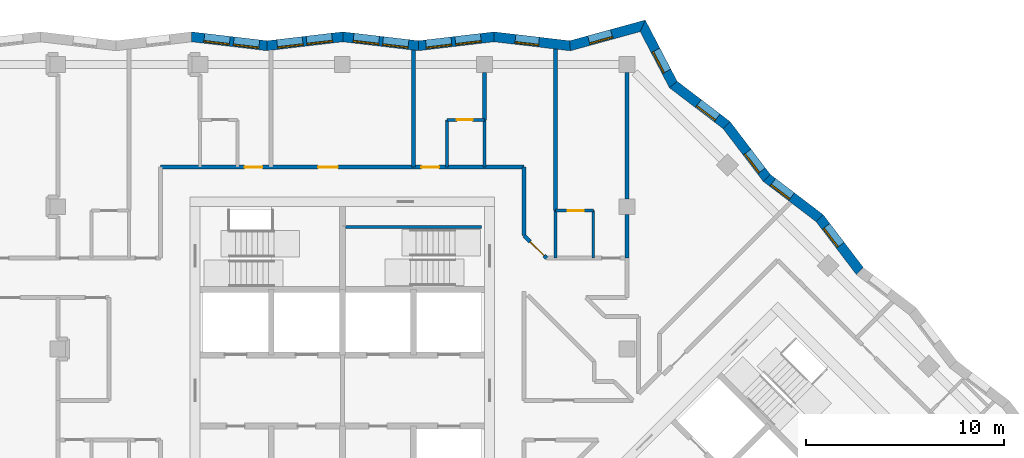
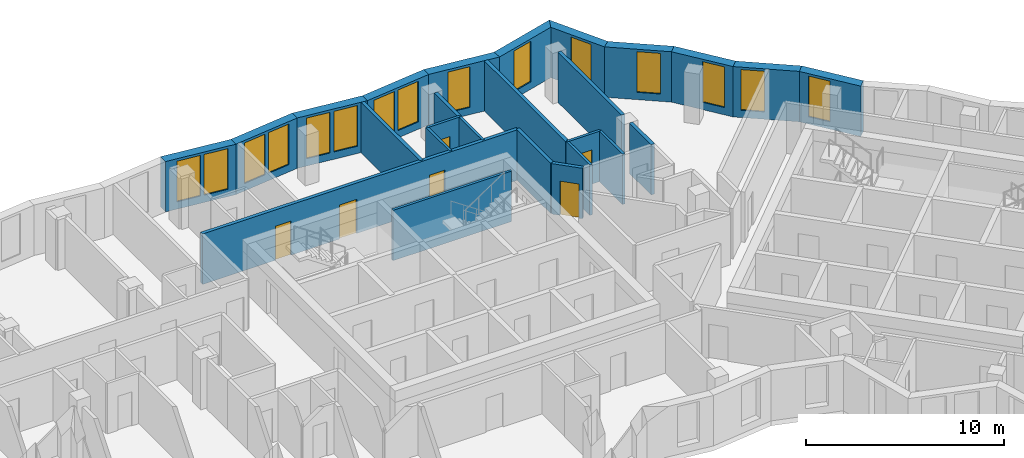
# One storey, part 7 of 12: 26 walls, 15 windows, 6 doors, 21 openings.
"""IFC4 building model written with IfcOpenShell, lengths in metres."""

from ifc_helpers import new_model, si_unit, direction, frame, frame_2d, origin, place, context, subcontext, project, spatial, polyline, rectangle, outline, extrude, material, layer, layer_set, type_object, element, fill, save


model = new_model("IFC4")

# Units and contexts
model_context = context("Model", 3, precision=1e-05, world=origin(), true_north=direction((0.0, 1.0)))
body_context = subcontext(model_context, "Body", "Model", "MODEL_VIEW")
ifc_project = project(units=[si_unit("LENGTHUNIT", "METRE"), si_unit("AREAUNIT", "SQUARE_METRE"), si_unit("VOLUMEUNIT", "CUBIC_METRE"), si_unit("PLANEANGLEUNIT", "RADIAN"), si_unit("MASSUNIT", "GRAM", prefix="KILO")], contexts=[model_context])

# Site, building, storey
site_placement = place(None, origin())
site = spatial("IfcSite", under=ifc_project, at=site_placement, CompositionType="ELEMENT")
building_placement = place(site_placement, origin())
building = spatial("IfcBuilding", under=site, at=building_placement, Name="Windrow Commons", CompositionType="ELEMENT")
storey_placement = place(building_placement, frame((0.0, 0.0, 206.6)))
storey = spatial("IfcBuildingStorey", under=building, at=storey_placement, Name="L56", CompositionType="ELEMENT", Elevation=206.6)

# Wall, opening, window
ifc_material_1 = material(Name="Brick masonry, red clay brick", Category="masonry")
ifc_layer_1 = layer(ifc_material_1, 0.5)
ifc_layer_set_1 = layer_set([ifc_layer_1], Name="Brick facade wall 500")
wall_type_1 = type_object("IfcWallType", Name="Brick facade wall 500", PredefinedType="SOLIDWALL", material=ifc_layer_set_1)
wall_1_placement = place(storey_placement, frame((90.9956, 61.5447, 0.0), z_axis=(0.0, 0.0, 1.0), x_axis=(-0.6059106346, 0.7955327164, 0.0)))
wall_1 = element("IfcWall", 1, at=wall_1_placement, inside=storey, type_object=wall_type_1, Name="Brick facade wall L56 12", PredefinedType="SOLIDWALL", context=body_context, shape_type="SweptSolid", body=[
    extrude(outline(polyline([(0.0338, -0.25), (3.3974, -0.25), (3.3298, 0.25), (-0.0338, 0.25), (0.0338, -0.25)])), origin(), (0.0, 0.0, 1.0), 3.1),
])
opening_1_placement = place(wall_1_placement, frame((1.6379, 0.0, 0.45)))
opening_1 = element("IfcOpeningElement", 2, at=opening_1_placement, cuts=wall_1, Name="Opening W7E", PredefinedType="OPENING", context=body_context, shape_type="SweptSolid", body=[
    extrude(rectangle(XDim=1.2, YDim=2.5, at=frame_2d((0.6, 1.25))), frame((0.0, 0.26, 0.0), z_axis=(0.0, -1.0, 0.0), x_axis=(1.0, 0.0, 0.0)), (0.0, 0.0, 1.0), 0.52),
])
ifc_material_2 = material(Name="Clear float glass in anodised aluminium frame", Category="aluminium")
window_type_1 = type_object("IfcWindowType", Name="Window W7 notch 1200x2500", PartitioningType="SINGLE_PANEL", PredefinedType="WINDOW", material=ifc_material_2)
window_1_placement = place(opening_1_placement, origin())
window_1 = element("IfcWindow", 3, at=window_1_placement, inside=storey, type_object=window_type_1, Name="Window L56 12.1", OverallHeight=2.5, OverallWidth=1.2, PartitioningType="SINGLE_PANEL", PredefinedType="WINDOW", context=body_context, shape_type="SweptSolid", body=[
    extrude(rectangle(XDim=1.2, YDim=2.5, at=frame_2d((0.6, 1.25))), frame((0.0, 0.18, 0.0), z_axis=(0.0, -1.0, 0.0), x_axis=(1.0, 0.0, 0.0)), (0.0, 0.0, 1.0), 0.06),
])
fill(opening_1, window_1)

wall_2_placement = place(storey_placement, frame((88.9576, 64.2205, 0.0), z_axis=(0.0, 0.0, 1.0), x_axis=(-0.7955293007, 0.6059151193, 0.0)))
wall_2 = element("IfcWall", 4, at=wall_2_placement, inside=storey, type_object=wall_type_1, Name="Brick facade wall L56 13", PredefinedType="SOLIDWALL", context=body_context, shape_type="SweptSolid", body=[
    extrude(outline(polyline([(-0.0338, -0.25), (3.3298, -0.25), (3.3974, 0.25), (0.0338, 0.25), (-0.0338, -0.25)])), origin(), (0.0, 0.0, 1.0), 3.1),
])
opening_2_placement = place(wall_2_placement, frame((1.7894, 0.0, 0.45)))
opening_2 = element("IfcOpeningElement", 5, at=opening_2_placement, cuts=wall_2, Name="Opening W7E", PredefinedType="OPENING", context=body_context, shape_type="SweptSolid", body=[
    extrude(rectangle(XDim=1.2, YDim=2.5, at=frame_2d((0.6, 1.25))), frame((0.0, 0.26, 0.0), z_axis=(0.0, -1.0, 0.0), x_axis=(1.0, 0.0, 0.0)), (0.0, 0.0, 1.0), 0.52),
])
window_2_placement = place(opening_2_placement, origin())
window_2 = element("IfcWindow", 6, at=window_2_placement, inside=storey, type_object=window_type_1, Name="Window L56 13.1", OverallHeight=2.5, OverallWidth=1.2, PartitioningType="SINGLE_PANEL", PredefinedType="WINDOW", context=body_context, shape_type="SweptSolid", body=[
    extrude(rectangle(XDim=1.2, YDim=2.5, at=frame_2d((0.6, 1.25))), frame((0.0, 0.18, 0.0), z_axis=(0.0, -1.0, 0.0), x_axis=(1.0, 0.0, 0.0)), (0.0, 0.0, 1.0), 0.06),
])
fill(opening_2, window_2)

wall_3_placement = place(storey_placement, frame((86.2817, 66.2586, 0.0), z_axis=(0.0, 0.0, 1.0), x_axis=(-0.6059106346, 0.7955327164, 0.0)))
wall_3 = element("IfcWall", 7, at=wall_3_placement, inside=storey, type_object=wall_type_1, Name="Brick facade wall L56 14", PredefinedType="SOLIDWALL", context=body_context, shape_type="SweptSolid", body=[
    extrude(outline(polyline([(0.0338, -0.25), (3.3974, -0.25), (3.3298, 0.25), (-0.0338, 0.25), (0.0338, -0.25)])), origin(), (0.0, 0.0, 1.0), 3.1),
])
opening_3_placement = place(wall_3_placement, frame((0.4422, 0.0, 0.45)))
opening_3 = element("IfcOpeningElement", 8, at=opening_3_placement, cuts=wall_3, Name="Opening W7E", PredefinedType="OPENING", context=body_context, shape_type="SweptSolid", body=[
    extrude(rectangle(XDim=1.2, YDim=2.5, at=frame_2d((0.6, 1.25))), frame((0.0, 0.26, 0.0), z_axis=(0.0, -1.0, 0.0), x_axis=(1.0, 0.0, 0.0)), (0.0, 0.0, 1.0), 0.52),
])
window_3_placement = place(opening_3_placement, origin())
window_3 = element("IfcWindow", 9, at=window_3_placement, inside=storey, type_object=window_type_1, Name="Window L56 14.1", OverallHeight=2.5, OverallWidth=1.2, PartitioningType="SINGLE_PANEL", PredefinedType="WINDOW", context=body_context, shape_type="SweptSolid", body=[
    extrude(rectangle(XDim=1.2, YDim=2.5, at=frame_2d((0.6, 1.25))), frame((0.0, 0.18, 0.0), z_axis=(0.0, -1.0, 0.0), x_axis=(1.0, 0.0, 0.0)), (0.0, 0.0, 1.0), 0.06),
])
fill(opening_3, window_3)

wall_4_placement = place(storey_placement, frame((84.2437, 68.9344, 0.0), z_axis=(0.0, 0.0, 1.0), x_axis=(-0.7955191752, 0.6059284131, 0.0)))
wall_4 = element("IfcWall", 10, at=wall_4_placement, inside=storey, type_object=wall_type_1, Name="Brick facade wall L56 15", PredefinedType="SOLIDWALL", context=body_context, shape_type="SweptSolid", body=[
    extrude(outline(polyline([(-0.0338, -0.25), (3.3298, -0.25), (3.4416, 0.25), (0.0338, 0.25), (-0.0338, -0.25)])), origin(), (0.0, 0.0, 1.0), 3.1),
])
opening_4_placement = place(wall_4_placement, frame((0.5937, 0.0, 0.45)))
opening_4 = element("IfcOpeningElement", 11, at=opening_4_placement, cuts=wall_4, Name="Opening W7E", PredefinedType="OPENING", context=body_context, shape_type="SweptSolid", body=[
    extrude(rectangle(XDim=1.2, YDim=2.5, at=frame_2d((0.6, 1.25))), frame((0.0, 0.26, 0.0), z_axis=(0.0, -1.0, 0.0), x_axis=(1.0, 0.0, 0.0)), (0.0, 0.0, 1.0), 0.52),
])
window_4_placement = place(opening_4_placement, origin())
window_4 = element("IfcWindow", 12, at=window_4_placement, inside=storey, type_object=window_type_1, Name="Window L56 15.1", OverallHeight=2.5, OverallWidth=1.2, PartitioningType="SINGLE_PANEL", PredefinedType="WINDOW", context=body_context, shape_type="SweptSolid", body=[
    extrude(rectangle(XDim=1.2, YDim=2.5, at=frame_2d((0.6, 1.25))), frame((0.0, 0.18, 0.0), z_axis=(0.0, -1.0, 0.0), x_axis=(1.0, 0.0, 0.0)), (0.0, 0.0, 1.0), 0.06),
])
fill(opening_4, window_4)

wall_5_placement = place(storey_placement, frame((81.5503, 70.9859, 0.0), z_axis=(0.0, 0.0, 1.0), x_axis=(-0.4617494401, 0.8870104027, 0.0)))
wall_5 = element("IfcWall", 13, at=wall_5_placement, inside=storey, type_object=wall_type_1, Name="Brick facade wall L56 16", PredefinedType="SOLIDWALL", context=body_context, shape_type="SweptSolid", body=[
    extrude(outline(polyline([(0.0559, -0.25), (3.5509, -0.25), (3.1471, 0.25), (-0.0559, 0.25), (0.0559, -0.25)])), origin(), (0.0, 0.0, 1.0), 3.1),
])
opening_5_placement = place(wall_5_placement, frame((0.7472, 0.0, 0.45)))
opening_5 = element("IfcOpeningElement", 14, at=opening_5_placement, cuts=wall_5, Name="Opening W7E", PredefinedType="OPENING", context=body_context, shape_type="SweptSolid", body=[
    extrude(rectangle(XDim=1.2, YDim=2.5, at=frame_2d((0.6, 1.25))), frame((0.0, 0.26, 0.0), z_axis=(0.0, -1.0, 0.0), x_axis=(1.0, 0.0, 0.0)), (0.0, 0.0, 1.0), 0.52),
])
window_5_placement = place(opening_5_placement, origin())
window_5 = element("IfcWindow", 15, at=window_5_placement, inside=storey, type_object=window_type_1, Name="Window L56 16.1", OverallHeight=2.5, OverallWidth=1.2, PartitioningType="SINGLE_PANEL", PredefinedType="WINDOW", context=body_context, shape_type="SweptSolid", body=[
    extrude(rectangle(XDim=1.2, YDim=2.5, at=frame_2d((0.6, 1.25))), frame((0.0, 0.18, 0.0), z_axis=(0.0, -1.0, 0.0), x_axis=(1.0, 0.0, 0.0)), (0.0, 0.0, 1.0), 0.06),
])
fill(opening_5, window_5)

wall_6_placement = place(storey_placement, frame((80.0039, 73.9565, 0.0), z_axis=(0.0, 0.0, 1.0), x_axis=(-0.9643003028, -0.2648111139, 0.0)))
wall_6 = element("IfcWall", 16, at=wall_6_placement, inside=storey, type_object=wall_type_1, Name="Brick facade wall L56 17", PredefinedType="SOLIDWALL", context=body_context, shape_type="SweptSolid", body=[
    extrude(outline(polyline([(-0.2019, -0.25), (3.7671, -0.25), (3.8647, 0.25), (0.2019, 0.25), (-0.2019, -0.25)])), origin(), (0.0, 0.0, 1.0), 3.1),
])
opening_6_placement = place(wall_6_placement, frame((1.6248, 0.0, 0.45)))
opening_6 = element("IfcOpeningElement", 17, at=opening_6_placement, cuts=wall_6, Name="Opening W7E", PredefinedType="OPENING", context=body_context, shape_type="SweptSolid", body=[
    extrude(rectangle(XDim=1.2, YDim=2.5, at=frame_2d((0.6, 1.25))), frame((0.0, 0.26, 0.0), z_axis=(0.0, -1.0, 0.0), x_axis=(1.0, 0.0, 0.0)), (0.0, 0.0, 1.0), 0.52),
])
window_6_placement = place(opening_6_placement, origin())
window_6 = element("IfcWindow", 18, at=window_6_placement, inside=storey, type_object=window_type_1, Name="Window L56 17.1", OverallHeight=2.5, OverallWidth=1.2, PartitioningType="SINGLE_PANEL", PredefinedType="WINDOW", context=body_context, shape_type="SweptSolid", body=[
    extrude(rectangle(XDim=1.2, YDim=2.5, at=frame_2d((0.6, 1.25))), frame((0.0, 0.18, 0.0), z_axis=(0.0, -1.0, 0.0), x_axis=(1.0, 0.0, 0.0)), (0.0, 0.0, 1.0), 0.06),
])
fill(opening_6, window_6)

wall_7_placement = place(storey_placement, frame((76.3242, 72.946, 0.0), z_axis=(0.0, 0.0, 1.0), x_axis=(-0.9931274976, 0.1170374872, 0.0)))
wall_7 = element("IfcWall", 19, at=wall_7_placement, inside=storey, type_object=wall_type_1, Name="Brick facade wall L56 18", PredefinedType="SOLIDWALL", context=body_context, shape_type="SweptSolid", body=[
    extrude(outline(polyline([(0.0488, -0.25), (3.9026, -0.25), (3.8437, 0.25), (-0.0488, 0.25), (0.0488, -0.25)])), origin(), (0.0, 0.0, 1.0), 3.1),
])
opening_7_placement = place(wall_7_placement, frame((1.5865, 0.0, 0.45)))
opening_7 = element("IfcOpeningElement", 20, at=opening_7_placement, cuts=wall_7, Name="Opening W7E", PredefinedType="OPENING", context=body_context, shape_type="SweptSolid", body=[
    extrude(rectangle(XDim=1.2, YDim=2.5, at=frame_2d((0.6, 1.25))), frame((0.0, 0.26, 0.0), z_axis=(0.0, -1.0, 0.0), x_axis=(1.0, 0.0, 0.0)), (0.0, 0.0, 1.0), 0.52),
])
window_7_placement = place(opening_7_placement, origin())
window_7 = element("IfcWindow", 21, at=window_7_placement, inside=storey, type_object=window_type_1, Name="Window L56 18.1", OverallHeight=2.5, OverallWidth=1.2, PartitioningType="SINGLE_PANEL", PredefinedType="WINDOW", context=body_context, shape_type="SweptSolid", body=[
    extrude(rectangle(XDim=1.2, YDim=2.5, at=frame_2d((0.6, 1.25))), frame((0.0, 0.18, 0.0), z_axis=(0.0, -1.0, 0.0), x_axis=(1.0, 0.0, 0.0)), (0.0, 0.0, 1.0), 0.06),
])
fill(opening_7, window_7)

# Wall, openings, windows
wall_8_placement = place(storey_placement, frame((72.4777, 73.3993, 0.0), z_axis=(0.0, 0.0, 1.0), x_axis=(-0.9931289789, -0.1170249176, 0.0)))
wall_8 = element("IfcWall", 22, at=wall_8_placement, inside=storey, type_object=wall_type_1, Name="Brick facade wall L56 19", PredefinedType="SOLIDWALL", context=body_context, shape_type="SweptSolid", body=[
    extrude(outline(polyline([(-0.0295, -0.25), (3.8244, -0.25), (3.8833, 0.25), (0.0295, 0.25), (-0.0295, -0.25)])), origin(), (0.0, 0.0, 1.0), 3.1),
])
opening_8_placement = place(wall_8_placement, frame((0.6674, 0.0, 0.45)))
opening_8 = element("IfcOpeningElement", 23, at=opening_8_placement, cuts=wall_8, Name="Opening W1Q", PredefinedType="OPENING", context=body_context, shape_type="SweptSolid", body=[
    extrude(rectangle(XDim=1.3, YDim=2.5, at=frame_2d((0.65, 1.25))), frame((0.0, 0.26, 0.0), z_axis=(0.0, -1.0, 0.0), x_axis=(1.0, 0.0, 0.0)), (0.0, 0.0, 1.0), 0.52),
])
opening_9_placement = place(wall_8_placement, frame((2.1674, 0.0, 0.45)))
opening_9 = element("IfcOpeningElement", 24, at=opening_9_placement, cuts=wall_8, Name="Opening W1Q", PredefinedType="OPENING", context=body_context, shape_type="SweptSolid", body=[
    extrude(rectangle(XDim=1.3, YDim=2.5, at=frame_2d((0.65, 1.25))), frame((0.0, 0.26, 0.0), z_axis=(0.0, -1.0, 0.0), x_axis=(1.0, 0.0, 0.0)), (0.0, 0.0, 1.0), 0.52),
])
ifc_material_3 = material(Name="Clear float glass in anodised aluminium frame", Category="aluminium")
window_type_2 = type_object("IfcWindowType", Name="Window W1Q pair 1300x2500", PartitioningType="SINGLE_PANEL", PredefinedType="WINDOW", material=ifc_material_3)
window_8_placement = place(opening_8_placement, origin())
window_8 = element("IfcWindow", 25, at=window_8_placement, inside=storey, type_object=window_type_2, Name="Window L56 19.1A", OverallHeight=2.5, OverallWidth=1.3, PartitioningType="SINGLE_PANEL", PredefinedType="WINDOW", context=body_context, shape_type="SweptSolid", body=[
    extrude(rectangle(XDim=1.3, YDim=2.5, at=frame_2d((0.65, 1.25))), frame((0.0, 0.18, 0.0), z_axis=(0.0, -1.0, 0.0), x_axis=(1.0, 0.0, 0.0)), (0.0, 0.0, 1.0), 0.06),
])
fill(opening_8, window_8)
window_9_placement = place(opening_9_placement, origin())
window_9 = element("IfcWindow", 26, at=window_9_placement, inside=storey, type_object=window_type_2, Name="Window L56 19.1B", OverallHeight=2.5, OverallWidth=1.3, PartitioningType="SINGLE_PANEL", PredefinedType="WINDOW", context=body_context, shape_type="SweptSolid", body=[
    extrude(rectangle(XDim=1.3, YDim=2.5, at=frame_2d((0.65, 1.25))), frame((0.0, 0.18, 0.0), z_axis=(0.0, -1.0, 0.0), x_axis=(1.0, 0.0, 0.0)), (0.0, 0.0, 1.0), 0.06),
])
fill(opening_9, window_9)

wall_9_placement = place(storey_placement, frame((68.6503, 72.9483, 0.0), z_axis=(0.0, 0.0, 1.0), x_axis=(-0.9931289789, 0.1170249176, 0.0)))
wall_9 = element("IfcWall", 27, at=wall_9_placement, inside=storey, type_object=wall_type_1, Name="Brick facade wall L56 20", PredefinedType="SOLIDWALL", context=body_context, shape_type="SweptSolid", body=[
    extrude(outline(polyline([(0.0295, -0.25), (3.8833, -0.25), (3.8244, 0.25), (-0.0295, 0.25), (0.0295, -0.25)])), origin(), (0.0, 0.0, 1.0), 3.1),
])
opening_10_placement = place(wall_9_placement, frame((0.5122, 0.0, 0.45)))
opening_10 = element("IfcOpeningElement", 28, at=opening_10_placement, cuts=wall_9, Name="Opening W1Q", PredefinedType="OPENING", context=body_context, shape_type="SweptSolid", body=[
    extrude(rectangle(XDim=1.3, YDim=2.5, at=frame_2d((0.65, 1.25))), frame((0.0, 0.26, 0.0), z_axis=(0.0, -1.0, 0.0), x_axis=(1.0, 0.0, 0.0)), (0.0, 0.0, 1.0), 0.52),
])
opening_11_placement = place(wall_9_placement, frame((2.0122, 0.0, 0.45)))
opening_11 = element("IfcOpeningElement", 29, at=opening_11_placement, cuts=wall_9, Name="Opening W1Q", PredefinedType="OPENING", context=body_context, shape_type="SweptSolid", body=[
    extrude(rectangle(XDim=1.3, YDim=2.5, at=frame_2d((0.65, 1.25))), frame((0.0, 0.26, 0.0), z_axis=(0.0, -1.0, 0.0), x_axis=(1.0, 0.0, 0.0)), (0.0, 0.0, 1.0), 0.52),
])
window_10_placement = place(opening_10_placement, origin())
window_10 = element("IfcWindow", 30, at=window_10_placement, inside=storey, type_object=window_type_2, Name="Window L56 20.1A", OverallHeight=2.5, OverallWidth=1.3, PartitioningType="SINGLE_PANEL", PredefinedType="WINDOW", context=body_context, shape_type="SweptSolid", body=[
    extrude(rectangle(XDim=1.3, YDim=2.5, at=frame_2d((0.65, 1.25))), frame((0.0, 0.18, 0.0), z_axis=(0.0, -1.0, 0.0), x_axis=(1.0, 0.0, 0.0)), (0.0, 0.0, 1.0), 0.06),
])
fill(opening_10, window_10)
window_11_placement = place(opening_11_placement, origin())
window_11 = element("IfcWindow", 31, at=window_11_placement, inside=storey, type_object=window_type_2, Name="Window L56 20.1B", OverallHeight=2.5, OverallWidth=1.3, PartitioningType="SINGLE_PANEL", PredefinedType="WINDOW", context=body_context, shape_type="SweptSolid", body=[
    extrude(rectangle(XDim=1.3, YDim=2.5, at=frame_2d((0.65, 1.25))), frame((0.0, 0.18, 0.0), z_axis=(0.0, -1.0, 0.0), x_axis=(1.0, 0.0, 0.0)), (0.0, 0.0, 1.0), 0.06),
])
fill(opening_11, window_11)

wall_10_placement = place(storey_placement, frame((64.8229, 73.3993, 0.0), z_axis=(0.0, 0.0, 1.0), x_axis=(-0.9931289789, -0.1170249176, 0.0)))
wall_10 = element("IfcWall", 32, at=wall_10_placement, inside=storey, type_object=wall_type_1, Name="Brick facade wall L56 21", PredefinedType="SOLIDWALL", context=body_context, shape_type="SweptSolid", body=[
    extrude(outline(polyline([(-0.0295, -0.25), (3.8244, -0.25), (3.8833, 0.25), (0.0295, 0.25), (-0.0295, -0.25)])), origin(), (0.0, 0.0, 1.0), 3.1),
])
opening_12_placement = place(wall_10_placement, frame((0.5417, 0.0, 0.45)))
opening_12 = element("IfcOpeningElement", 33, at=opening_12_placement, cuts=wall_10, Name="Opening W1Q", PredefinedType="OPENING", context=body_context, shape_type="SweptSolid", body=[
    extrude(rectangle(XDim=1.3, YDim=2.5, at=frame_2d((0.65, 1.25))), frame((0.0, 0.26, 0.0), z_axis=(0.0, -1.0, 0.0), x_axis=(1.0, 0.0, 0.0)), (0.0, 0.0, 1.0), 0.52),
])
opening_13_placement = place(wall_10_placement, frame((2.0417, 0.0, 0.45)))
opening_13 = element("IfcOpeningElement", 34, at=opening_13_placement, cuts=wall_10, Name="Opening W1Q", PredefinedType="OPENING", context=body_context, shape_type="SweptSolid", body=[
    extrude(rectangle(XDim=1.3, YDim=2.5, at=frame_2d((0.65, 1.25))), frame((0.0, 0.26, 0.0), z_axis=(0.0, -1.0, 0.0), x_axis=(1.0, 0.0, 0.0)), (0.0, 0.0, 1.0), 0.52),
])
window_12_placement = place(opening_12_placement, origin())
window_12 = element("IfcWindow", 35, at=window_12_placement, inside=storey, type_object=window_type_2, Name="Window L56 21.1A", OverallHeight=2.5, OverallWidth=1.3, PartitioningType="SINGLE_PANEL", PredefinedType="WINDOW", context=body_context, shape_type="SweptSolid", body=[
    extrude(rectangle(XDim=1.3, YDim=2.5, at=frame_2d((0.65, 1.25))), frame((0.0, 0.18, 0.0), z_axis=(0.0, -1.0, 0.0), x_axis=(1.0, 0.0, 0.0)), (0.0, 0.0, 1.0), 0.06),
])
fill(opening_12, window_12)
window_13_placement = place(opening_13_placement, origin())
window_13 = element("IfcWindow", 36, at=window_13_placement, inside=storey, type_object=window_type_2, Name="Window L56 21.1B", OverallHeight=2.5, OverallWidth=1.3, PartitioningType="SINGLE_PANEL", PredefinedType="WINDOW", context=body_context, shape_type="SweptSolid", body=[
    extrude(rectangle(XDim=1.3, YDim=2.5, at=frame_2d((0.65, 1.25))), frame((0.0, 0.18, 0.0), z_axis=(0.0, -1.0, 0.0), x_axis=(1.0, 0.0, 0.0)), (0.0, 0.0, 1.0), 0.06),
])
fill(opening_13, window_13)

wall_11_placement = place(storey_placement, frame((60.9955, 72.9483, 0.0), z_axis=(0.0, 0.0, 1.0), x_axis=(-0.9931289789, 0.1170249176, 0.0)))
wall_11 = element("IfcWall", 37, at=wall_11_placement, inside=storey, type_object=wall_type_1, Name="Brick facade wall L56 22", PredefinedType="SOLIDWALL", context=body_context, shape_type="SweptSolid", body=[
    extrude(outline(polyline([(0.0295, -0.25), (3.8833, -0.25), (3.8244, 0.25), (-0.0295, 0.25), (0.0295, -0.25)])), origin(), (0.0, 0.0, 1.0), 3.1),
])
opening_14_placement = place(wall_11_placement, frame((0.4095, 0.0, 0.45)))
opening_14 = element("IfcOpeningElement", 38, at=opening_14_placement, cuts=wall_11, Name="Opening W1Q", PredefinedType="OPENING", context=body_context, shape_type="SweptSolid", body=[
    extrude(rectangle(XDim=1.3, YDim=2.5, at=frame_2d((0.65, 1.25))), frame((0.0, 0.26, 0.0), z_axis=(0.0, -1.0, 0.0), x_axis=(1.0, 0.0, 0.0)), (0.0, 0.0, 1.0), 0.52),
])
opening_15_placement = place(wall_11_placement, frame((1.9095, 0.0, 0.45)))
opening_15 = element("IfcOpeningElement", 39, at=opening_15_placement, cuts=wall_11, Name="Opening W1Q", PredefinedType="OPENING", context=body_context, shape_type="SweptSolid", body=[
    extrude(rectangle(XDim=1.3, YDim=2.5, at=frame_2d((0.65, 1.25))), frame((0.0, 0.26, 0.0), z_axis=(0.0, -1.0, 0.0), x_axis=(1.0, 0.0, 0.0)), (0.0, 0.0, 1.0), 0.52),
])
window_14_placement = place(opening_14_placement, origin())
window_14 = element("IfcWindow", 40, at=window_14_placement, inside=storey, type_object=window_type_2, Name="Window L56 22.1A", OverallHeight=2.5, OverallWidth=1.3, PartitioningType="SINGLE_PANEL", PredefinedType="WINDOW", context=body_context, shape_type="SweptSolid", body=[
    extrude(rectangle(XDim=1.3, YDim=2.5, at=frame_2d((0.65, 1.25))), frame((0.0, 0.18, 0.0), z_axis=(0.0, -1.0, 0.0), x_axis=(1.0, 0.0, 0.0)), (0.0, 0.0, 1.0), 0.06),
])
fill(opening_14, window_14)
window_15_placement = place(opening_15_placement, origin())
window_15 = element("IfcWindow", 41, at=window_15_placement, inside=storey, type_object=window_type_2, Name="Window L56 22.1B", OverallHeight=2.5, OverallWidth=1.3, PartitioningType="SINGLE_PANEL", PredefinedType="WINDOW", context=body_context, shape_type="SweptSolid", body=[
    extrude(rectangle(XDim=1.3, YDim=2.5, at=frame_2d((0.65, 1.25))), frame((0.0, 0.18, 0.0), z_axis=(0.0, -1.0, 0.0), x_axis=(1.0, 0.0, 0.0)), (0.0, 0.0, 1.0), 0.06),
])
fill(opening_15, window_15)

# Wall, openings, doors
ifc_material_4 = material(Name="Blockwork partition", Category="masonry")
ifc_layer_2 = layer(ifc_material_4, 0.2)
ifc_layer_set_2 = layer_set([ifc_layer_2], Name="IW-CORRIDOR-200")
wall_type_2 = type_object("IfcWallType", Name="IW-CORRIDOR-200", PredefinedType="PARTITIONING", material=ifc_layer_set_2)
wall_12_placement = place(storey_placement, frame((55.6, 66.8, 0.0), z_axis=(0.0, 0.0, 1.0), x_axis=(1.0, 0.0, 0.0)))
wall_12 = element("IfcWall", 42, at=wall_12_placement, inside=storey, type_object=wall_type_2, Name="W-L56-W001", PredefinedType="PARTITIONING", context=body_context, shape_type="SweptSolid", body=[
    extrude(rectangle(XDim=18.4, YDim=0.2, at=frame_2d((9.2, 0.0))), origin(), (0.0, 0.0, 1.0), 3.1),
])
opening_16_placement = place(wall_12_placement, frame((4.25, 0.0, 0.0)))
opening_16 = element("IfcOpeningElement", 43, at=opening_16_placement, cuts=wall_12, Name="Opening D109S", PredefinedType="OPENING", context=body_context, shape_type="SweptSolid", body=[
    extrude(rectangle(XDim=0.9, YDim=2.1, at=frame_2d((0.45, 1.05))), frame((0.0, 0.11, 0.0), z_axis=(0.0, -1.0, 0.0), x_axis=(1.0, 0.0, 0.0)), (0.0, 0.0, 1.0), 0.22),
])
opening_17_placement = place(wall_12_placement, frame((7.9737, 0.0, 0.0)))
opening_17 = element("IfcOpeningElement", 44, at=opening_17_placement, cuts=wall_12, Name="Opening D310F", PredefinedType="OPENING", context=body_context, shape_type="SweptSolid", body=[
    extrude(rectangle(XDim=1.0, YDim=2.1, at=frame_2d((0.5, 1.05))), frame((0.0, 0.11, 0.0), z_axis=(0.0, -1.0, 0.0), x_axis=(1.0, 0.0, 0.0)), (0.0, 0.0, 1.0), 0.22),
])
opening_18_placement = place(wall_12_placement, frame((13.2, 0.0, 0.0)))
opening_18 = element("IfcOpeningElement", 45, at=opening_18_placement, cuts=wall_12, Name="Opening D109S", PredefinedType="OPENING", context=body_context, shape_type="SweptSolid", body=[
    extrude(rectangle(XDim=0.9, YDim=2.1, at=frame_2d((0.45, 1.05))), frame((0.0, 0.11, 0.0), z_axis=(0.0, -1.0, 0.0), x_axis=(1.0, 0.0, 0.0)), (0.0, 0.0, 1.0), 0.22),
])
ifc_material_5 = material(Name="Timber door leaf", Category="wood")
door_type_1 = type_object("IfcDoorType", Name="DT-AMENITY-1000", OperationType="SINGLE_SWING_LEFT", PredefinedType="DOOR", material=ifc_material_5)
door_1_placement = place(opening_17_placement, origin())
door_1 = element("IfcDoor", 46, at=door_1_placement, inside=storey, type_object=door_type_1, Name="D-L56-D009", OperationType="SINGLE_SWING_LEFT", OverallHeight=2.1, OverallWidth=1.0, PredefinedType="DOOR", context=body_context, shape_type="SweptSolid", body=[
    extrude(rectangle(XDim=1.0, YDim=2.1, at=frame_2d((0.5, 1.05))), frame((0.0, 0.025, 0.0), z_axis=(0.0, -1.0, 0.0), x_axis=(1.0, 0.0, 0.0)), (0.0, 0.0, 1.0), 0.05),
])
fill(opening_17, door_1)
ifc_material_6 = material(Name="Timber door leaf", Category="wood")
door_type_2 = type_object("IfcDoorType", Name="DT-BEDROOM-900", OperationType="SINGLE_SWING_LEFT", PredefinedType="DOOR", material=ifc_material_6)
door_2_placement = place(opening_16_placement, origin())
door_2 = element("IfcDoor", 47, at=door_2_placement, inside=storey, type_object=door_type_2, Name="D-L56-D007", OperationType="SINGLE_SWING_RIGHT", OverallHeight=2.1, OverallWidth=0.9, PredefinedType="DOOR", context=body_context, shape_type="SweptSolid", body=[
    extrude(rectangle(XDim=0.9, YDim=2.1, at=frame_2d((0.45, 1.05))), frame((0.0, 0.025, 0.0), z_axis=(0.0, -1.0, 0.0), x_axis=(1.0, 0.0, 0.0)), (0.0, 0.0, 1.0), 0.05),
])
fill(opening_16, door_2)
door_3_placement = place(opening_18_placement, origin())
door_3 = element("IfcDoor", 48, at=door_3_placement, inside=storey, type_object=door_type_2, Name="D-L56-D010", OperationType="SINGLE_SWING_LEFT", OverallHeight=2.1, OverallWidth=0.9, PredefinedType="DOOR", context=body_context, shape_type="SweptSolid", body=[
    extrude(rectangle(XDim=0.9, YDim=2.1, at=frame_2d((0.45, 1.05))), frame((0.0, 0.025, 0.0), z_axis=(0.0, -1.0, 0.0), x_axis=(1.0, 0.0, 0.0)), (0.0, 0.0, 1.0), 0.05),
])
fill(opening_18, door_3)

# Wall
wall_13_placement = place(storey_placement, frame((74.0, 63.342, 0.0), z_axis=(0.0, 0.0, 1.0), x_axis=(0.0, 1.0, 0.0)))
element("IfcWall", 49, at=wall_13_placement, inside=storey, type_object=wall_type_2, Name="W-L56-W048", PredefinedType="PARTITIONING", context=body_context, shape_type="SweptSolid", body=[
    extrude(rectangle(XDim=3.458, YDim=0.2, at=frame_2d((1.729, 0.0))), origin(), (0.0, 0.0, 1.0), 3.1),
])

# Wall, opening, door
wall_14_placement = place(storey_placement, frame((73.9971, 63.3371, 0.0), z_axis=(0.0, 0.0, 1.0), x_axis=(0.7071067812, -0.7071067812, 0.0)))
wall_14 = element("IfcWall", 50, at=wall_14_placement, inside=storey, type_object=wall_type_2, Name="W-L56-W119", PredefinedType="PARTITIONING", context=body_context, shape_type="SweptSolid", body=[
    extrude(rectangle(XDim=1.6122, YDim=0.2, at=frame_2d((0.8061, 0.0))), origin(), (0.0, 0.0, 1.0), 3.1),
])
opening_19_placement = place(wall_14_placement, frame((0.4317, 0.0, 0.0)))
opening_19 = element("IfcOpeningElement", 51, at=opening_19_placement, cuts=wall_14, Name="Opening D310F", PredefinedType="OPENING", context=body_context, shape_type="SweptSolid", body=[
    extrude(rectangle(XDim=1.0, YDim=2.1, at=frame_2d((0.5, 1.05))), frame((0.0, 0.11, 0.0), z_axis=(0.0, -1.0, 0.0), x_axis=(1.0, 0.0, 0.0)), (0.0, 0.0, 1.0), 0.22),
])
door_4_placement = place(opening_19_placement, origin())
door_4 = element("IfcDoor", 52, at=door_4_placement, inside=storey, type_object=door_type_1, Name="D-L56-D022", OperationType="SINGLE_SWING_RIGHT", OverallHeight=2.1, OverallWidth=1.0, PredefinedType="DOOR", context=body_context, shape_type="SweptSolid", body=[
    extrude(rectangle(XDim=1.0, YDim=2.1, at=frame_2d((0.5, 1.05))), frame((0.0, 0.025, 0.0), z_axis=(0.0, -1.0, 0.0), x_axis=(1.0, 0.0, 0.0)), (0.0, 0.0, 1.0), 0.05),
])
fill(opening_19, door_4)

# Walls
ifc_material_7 = material(Name="Blockwork partition", Category="masonry")
ifc_layer_3 = layer(ifc_material_7, 0.15)
ifc_layer_set_3 = layer_set([ifc_layer_3], Name="IW-ENSUITE-150")
wall_type_3 = type_object("IfcWallType", Name="IW-ENSUITE-150", PredefinedType="PARTITIONING", material=ifc_layer_set_3)
for number, where, z_axis, x_axis, name in (
    (53, (70.1, 66.8, 0.0), (0.0, 0.0, 1.0), (0.0, 1.0, 0.0), "W-L56-W065"),
    (54, (72.0, 66.8, 0.0), (0.0, 0.0, 1.0), (0.0, 1.0, 0.0), "W-L56-W066"),
    (55, (75.6, 62.2, 0.0), (0.0, 0.0, 1.0), (0.0, 1.0, 0.0), "W-L56-W079"),
    (56, (77.5, 62.2, 0.0), (0.0, 0.0, 1.0), (0.0, 1.0, 0.0), "W-L56-W080"),
):
    element("IfcWall", number, at=place(storey_placement, frame(where, z_axis=z_axis, x_axis=x_axis)), inside=storey, type_object=wall_type_3, Name=name, PredefinedType="PARTITIONING", context=body_context, shape_type="SweptSolid", body=[
        extrude(rectangle(XDim=2.4, YDim=0.15, at=frame_2d((1.2, 0.0))), origin(), (0.0, 0.0, 1.0), 3.1),
    ])

# Wall, opening, door
wall_15_placement = place(storey_placement, frame((75.6, 64.6, 0.0), z_axis=(0.0, 0.0, 1.0), x_axis=(1.0, 0.0, 0.0)))
wall_15 = element("IfcWall", 57, at=wall_15_placement, inside=storey, type_object=wall_type_3, Name="W-L56-W107", PredefinedType="PARTITIONING", context=body_context, shape_type="SweptSolid", body=[
    extrude(rectangle(XDim=1.9, YDim=0.15, at=frame_2d((0.95, 0.0))), origin(), (0.0, 0.0, 1.0), 3.1),
])
opening_20_placement = place(wall_15_placement, frame((0.6069, 0.0, 0.0)))
opening_20 = element("IfcOpeningElement", 58, at=opening_20_placement, cuts=wall_15, Name="Opening D208N", PredefinedType="OPENING", context=body_context, shape_type="SweptSolid", body=[
    extrude(rectangle(XDim=0.8, YDim=2.1, at=frame_2d((0.4, 1.05))), frame((0.0, 0.085, 0.0), z_axis=(0.0, -1.0, 0.0), x_axis=(1.0, 0.0, 0.0)), (0.0, 0.0, 1.0), 0.17),
])
ifc_material_8 = material(Name="Timber door leaf", Category="wood")
door_type_3 = type_object("IfcDoorType", Name="DT-ENSUITE-800", OperationType="SINGLE_SWING_LEFT", PredefinedType="DOOR", material=ifc_material_8)
door_5_placement = place(opening_20_placement, origin())
door_5 = element("IfcDoor", 59, at=door_5_placement, inside=storey, type_object=door_type_3, Name="D-L56-D024", OperationType="SINGLE_SWING_RIGHT", OverallHeight=2.1, OverallWidth=0.8, PredefinedType="DOOR", context=body_context, shape_type="SweptSolid", body=[
    extrude(rectangle(XDim=0.8, YDim=2.1, at=frame_2d((0.4, 1.05))), frame((0.0, 0.025, 0.0), z_axis=(0.0, -1.0, 0.0), x_axis=(1.0, 0.0, 0.0)), (0.0, 0.0, 1.0), 0.05),
])
fill(opening_20, door_5)

wall_16_placement = place(storey_placement, frame((70.1, 69.2, 0.0), z_axis=(0.0, 0.0, 1.0), x_axis=(1.0, 0.0, 0.0)))
wall_16 = element("IfcWall", 60, at=wall_16_placement, inside=storey, type_object=wall_type_3, Name="W-L56-W108", PredefinedType="PARTITIONING", context=body_context, shape_type="SweptSolid", body=[
    extrude(rectangle(XDim=1.9, YDim=0.15, at=frame_2d((0.95, 0.0))), origin(), (0.0, 0.0, 1.0), 3.1),
])
opening_21_placement = place(wall_16_placement, frame((0.4931, 0.0, 0.0)))
opening_21 = element("IfcOpeningElement", 61, at=opening_21_placement, cuts=wall_16, Name="Opening D208N", PredefinedType="OPENING", context=body_context, shape_type="SweptSolid", body=[
    extrude(rectangle(XDim=0.8, YDim=2.1, at=frame_2d((0.4, 1.05))), frame((0.0, 0.085, 0.0), z_axis=(0.0, -1.0, 0.0), x_axis=(1.0, 0.0, 0.0)), (0.0, 0.0, 1.0), 0.17),
])
door_6_placement = place(opening_21_placement, origin())
door_6 = element("IfcDoor", 62, at=door_6_placement, inside=storey, type_object=door_type_3, Name="D-L56-D011", OperationType="SINGLE_SWING_RIGHT", OverallHeight=2.1, OverallWidth=0.8, PredefinedType="DOOR", context=body_context, shape_type="SweptSolid", body=[
    extrude(rectangle(XDim=0.8, YDim=2.1, at=frame_2d((0.4, 1.05))), frame((0.0, 0.025, 0.0), z_axis=(0.0, -1.0, 0.0), x_axis=(1.0, 0.0, 0.0)), (0.0, 0.0, 1.0), 0.05),
])
fill(opening_21, door_6)

# Walls
ifc_material_9 = material(Name="Blockwork partition", Category="masonry")
ifc_layer_4 = layer(ifc_material_9, 0.2)
ifc_layer_set_4 = layer_set([ifc_layer_4], Name="IW-PARTY-200")
wall_type_4 = type_object("IfcWallType", Name="IW-PARTY-200", PredefinedType="PARTITIONING", material=ifc_layer_set_4)
wall_17_placement = place(storey_placement, frame((75.6, 64.6, 0.0), z_axis=(0.0, 0.0, 1.0), x_axis=(0.0, 1.0, 0.0)))
element("IfcWall", 63, at=wall_17_placement, inside=storey, type_object=wall_type_4, Name="W-L56-W012", PredefinedType="PARTITIONING", context=body_context, shape_type="SweptSolid", body=[
    extrude(rectangle(XDim=8.1796, YDim=0.2, at=frame_2d((4.0898, 0.0))), origin(), (0.0, 0.0, 1.0), 3.1),
])
wall_18_placement = place(storey_placement, frame((79.2, 65.2, 0.0), z_axis=(0.0, 0.0, 1.0), x_axis=(0.0, 1.0, 0.0)))
element("IfcWall", 64, at=wall_18_placement, inside=storey, type_object=wall_type_4, Name="W-L56-W019", PredefinedType="PARTITIONING", context=body_context, shape_type="SweptSolid", body=[
    extrude(rectangle(XDim=6.4, YDim=0.2, at=frame_2d((3.2, 0.0))), origin(), (0.0, 0.0, 1.0), 3.1),
])
wall_19_placement = place(storey_placement, frame((68.4, 66.8, 0.0), z_axis=(0.0, 0.0, 1.0), x_axis=(0.0, 1.0, 0.0)))
element("IfcWall", 65, at=wall_19_placement, inside=storey, type_object=wall_type_4, Name="W-L56-W025", PredefinedType="PARTITIONING", context=body_context, shape_type="SweptSolid", body=[
    extrude(rectangle(XDim=5.926, YDim=0.2, at=frame_2d((2.963, 0.0))), origin(), (0.0, 0.0, 1.0), 3.1),
])
wall_20_placement = place(storey_placement, frame((72.0, 69.2, 0.0), z_axis=(0.0, 0.0, 1.0), x_axis=(0.0, 1.0, 0.0)))
element("IfcWall", 66, at=wall_20_placement, inside=storey, type_object=wall_type_4, Name="W-L56-W078", PredefinedType="PARTITIONING", context=body_context, shape_type="SweptSolid", body=[
    extrude(rectangle(XDim=2.4, YDim=0.2, at=frame_2d((1.2, 0.0))), origin(), (0.0, 0.0, 1.0), 3.1),
])
wall_21_placement = place(storey_placement, frame((79.2, 62.2, 0.0), z_axis=(0.0, 0.0, 1.0), x_axis=(0.0, 1.0, 0.0)))
element("IfcWall", 67, at=wall_21_placement, inside=storey, type_object=wall_type_4, Name="W-L56-W091", PredefinedType="PARTITIONING", context=body_context, shape_type="SweptSolid", body=[
    extrude(rectangle(XDim=2.2, YDim=0.2, at=frame_2d((1.1, 0.0))), origin(), (0.0, 0.0, 1.0), 3.1),
])
ifc_material_10 = material(Name="Blockwork partition", Category="masonry")
ifc_layer_5 = layer(ifc_material_10, 0.15)
ifc_layer_set_5 = layer_set([ifc_layer_5], Name="Riser partition 150")
wall_type_5 = type_object("IfcWallType", Name="Riser partition 150", PredefinedType="PARTITIONING", material=ifc_layer_set_5)
wall_22_placement = place(storey_placement, frame((64.95, 63.78, 0.0), z_axis=(0.0, 0.0, 1.0), x_axis=(1.0, 0.0, 0.0)))
element("IfcWall", 68, at=wall_22_placement, inside=storey, type_object=wall_type_5, Name="W-core-strip-A-L56", PredefinedType="PARTITIONING", context=body_context, shape_type="SweptSolid", body=[
    extrude(rectangle(XDim=6.9, YDim=0.15, at=frame_2d((3.45, 0.0))), origin(), (0.0, 0.0, 1.0), 3.1),
])

save(model, "model.ifc")
